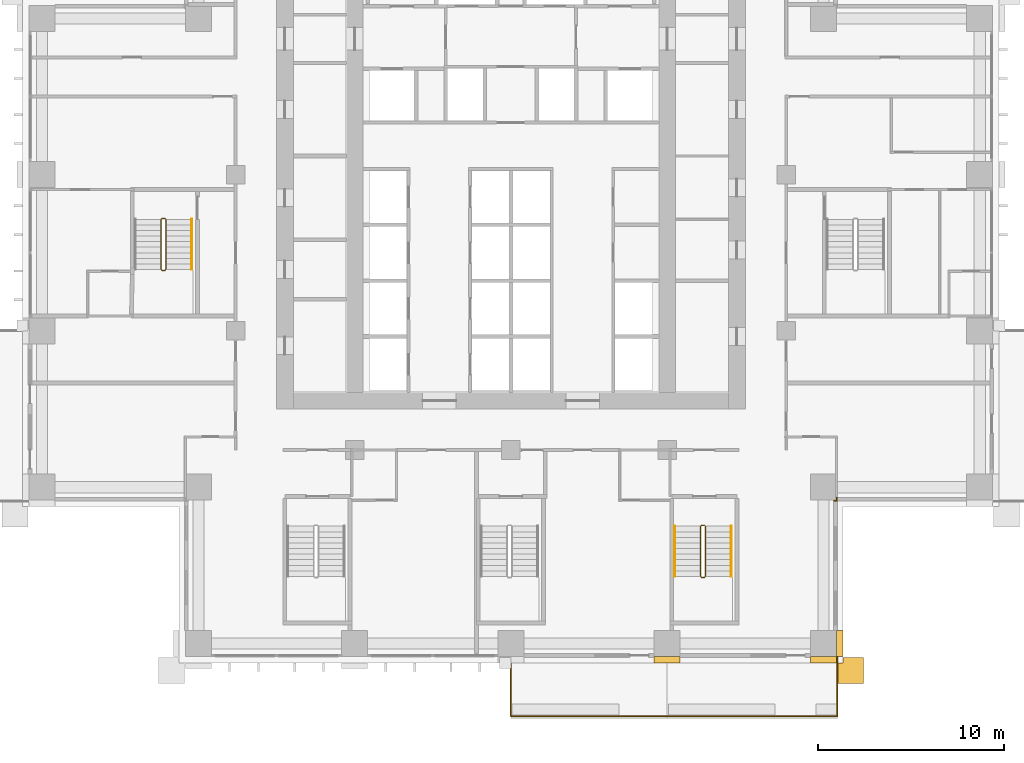
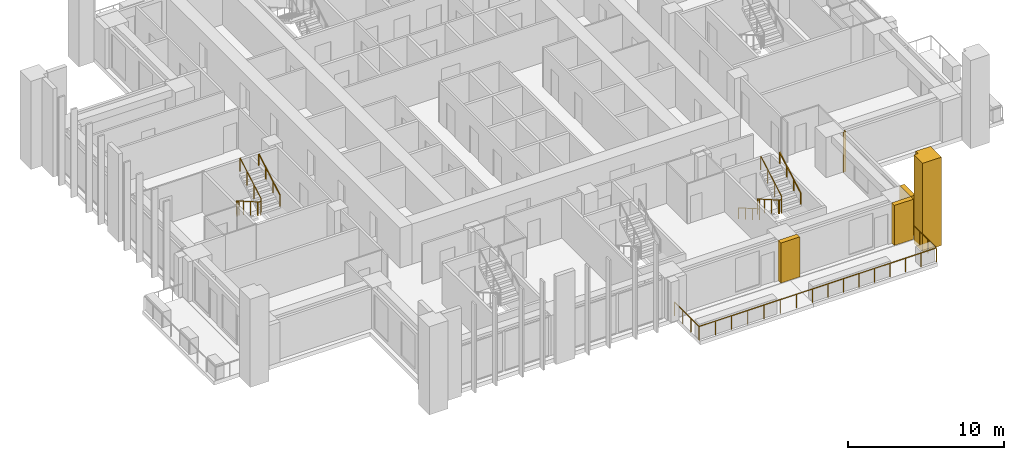
# One storey, part 16 of 19: 7 railings, 5 coverings.
"""IFC4 building model written with IfcOpenShell, lengths in metres."""

from ifc_helpers import new_model, si_unit, direction, frame, origin, origin_2d, place, context, subcontext, project, spatial, polyline, rectangle, outline, extrude, material, type_object, element, save


model = new_model("IFC4")

# Units and contexts
model_context = context("Model", 3, precision=1e-05, world=origin(), true_north=direction((0.0, 1.0)))
body_context = subcontext(model_context, "Body", "Model", "MODEL_VIEW")
ifc_project = project(units=[si_unit("LENGTHUNIT", "METRE"), si_unit("AREAUNIT", "SQUARE_METRE"), si_unit("VOLUMEUNIT", "CUBIC_METRE"), si_unit("PLANEANGLEUNIT", "RADIAN"), si_unit("MASSUNIT", "GRAM", prefix="KILO")], contexts=[model_context])

# Site, building, storey
site_placement = place(None, origin())
site = spatial("IfcSite", under=ifc_project, at=site_placement, CompositionType="ELEMENT")
building_placement = place(site_placement, origin())
building = spatial("IfcBuilding", under=site, at=building_placement, Name="Vermilion Ogive Tower", CompositionType="ELEMENT")
storey_placement = place(building_placement, frame((0.0, 0.0, 62.10009765625)))
storey = spatial("IfcBuildingStorey", under=building, at=storey_placement, Name="L14", CompositionType="ELEMENT", Elevation=62.10009765625)

# Railings
ifc_material_1 = material(Name="Stainless steel and glass", Category="steel")
railing_type_1 = type_object("IfcRailingType", Name="Balcony guard", PredefinedType="GUARDRAIL", material=ifc_material_1)
railing_1_placement = place(storey_placement, frame((0.0, -21.75, -0.0400390625)))
element("IfcRailing", 1, at=railing_1_placement, inside=storey, type_object=railing_type_1, Name="Guard S03", PredefinedType="GUARDRAIL", context=body_context, shape_type="SweptSolid", body=[
    extrude(rectangle(XDim=0.048095703125, YDim=0.048095703125, at=origin_2d()), frame((0.0, 0.0, 1.076171875), z_axis=(0.0, -1.0, 0.0), x_axis=(1.0, 0.0, 0.0)), (0.0, 0.0, 1.0), 3.159912109375),
    extrude(rectangle(XDim=0.048095703125, YDim=0.048095703125, at=origin_2d()), frame((0.0, -3.159912109375, 1.076171875), z_axis=(1.0, 0.0, 0.0), x_axis=(0.0, 1.0, 0.0)), (0.0, 0.0, 1.0), 8.39990234375),
    extrude(rectangle(XDim=0.0419921875, YDim=0.0419921875, at=origin_2d()), origin(), (0.0, 0.0, 1.0), 1.052001953125),
    extrude(rectangle(XDim=0.0419921875, YDim=0.0419921875, at=origin_2d()), frame((0.0, -1.05322265625, 0.0)), (0.0, 0.0, 1.0), 1.052001953125),
    extrude(rectangle(XDim=0.0419921875, YDim=0.0419921875, at=origin_2d()), frame((0.0, -2.106689453125, 0.0)), (0.0, 0.0, 1.0), 1.052001953125),
    extrude(rectangle(XDim=0.0419921875, YDim=0.0419921875, at=origin_2d()), frame((0.0, -3.159912109375, 0.0)), (0.0, 0.0, 1.0), 1.052001953125),
    extrude(rectangle(XDim=0.0419921875, YDim=0.0419921875, at=origin_2d()), frame((1.199951171875, -3.159912109375, 0.0)), (0.0, 0.0, 1.0), 1.052001953125),
    extrude(rectangle(XDim=0.0419921875, YDim=0.0419921875, at=origin_2d()), frame((2.39990234375, -3.159912109375, 0.0)), (0.0, 0.0, 1.0), 1.052001953125),
    extrude(rectangle(XDim=0.0419921875, YDim=0.0419921875, at=origin_2d()), frame((3.599853515625, -3.159912109375, 0.0)), (0.0, 0.0, 1.0), 1.052001953125),
    extrude(rectangle(XDim=0.0419921875, YDim=0.0419921875, at=origin_2d()), frame((4.800048828125, -3.159912109375, 0.0)), (0.0, 0.0, 1.0), 1.052001953125),
    extrude(rectangle(XDim=0.0419921875, YDim=0.0419921875, at=origin_2d()), frame((6.0, -3.159912109375, 0.0)), (0.0, 0.0, 1.0), 1.052001953125),
    extrude(rectangle(XDim=0.0419921875, YDim=0.0419921875, at=origin_2d()), frame((7.199951171875, -3.159912109375, 0.0)), (0.0, 0.0, 1.0), 1.052001953125),
    extrude(rectangle(XDim=0.0419921875, YDim=0.0419921875, at=origin_2d()), frame((8.39990234375, -3.159912109375, 0.0)), (0.0, 0.0, 1.0), 1.052001953125),
])
railing_2_placement = place(storey_placement, frame((8.39990234375, -24.909912109375, -0.0400390625)))
element("IfcRailing", 2, at=railing_2_placement, inside=storey, type_object=railing_type_1, Name="Guard S04", PredefinedType="GUARDRAIL", context=body_context, shape_type="SweptSolid", body=[
    extrude(rectangle(XDim=0.048095703125, YDim=0.048095703125, at=origin_2d()), frame((0.0, 0.0, 1.076171875), z_axis=(1.0, 0.0, 0.0), x_axis=(0.0, 1.0, 0.0)), (0.0, 0.0, 1.0), 9.150146484375),
    extrude(rectangle(XDim=0.048095703125, YDim=0.048095703125, at=origin_2d()), frame((9.150146484375, 0.0, 1.076171875), z_axis=(0.0, 1.0, 0.0), x_axis=(-1.0, 0.0, 0.0)), (0.0, 0.0, 1.0), 3.159912109375),
    extrude(rectangle(XDim=0.0419921875, YDim=0.0419921875, at=origin_2d()), origin(), (0.0, 0.0, 1.0), 1.052001953125),
    extrude(rectangle(XDim=0.0419921875, YDim=0.0419921875, at=origin_2d()), frame((1.143798828125, 0.0, 0.0)), (0.0, 0.0, 1.0), 1.052001953125),
    extrude(rectangle(XDim=0.0419921875, YDim=0.0419921875, at=origin_2d()), frame((2.28759765625, 0.0, 0.0)), (0.0, 0.0, 1.0), 1.052001953125),
    extrude(rectangle(XDim=0.0419921875, YDim=0.0419921875, at=origin_2d()), frame((3.431396484375, 0.0, 0.0)), (0.0, 0.0, 1.0), 1.052001953125),
    extrude(rectangle(XDim=0.0419921875, YDim=0.0419921875, at=origin_2d()), frame((4.5751953125, 0.0, 0.0)), (0.0, 0.0, 1.0), 1.052001953125),
    extrude(rectangle(XDim=0.0419921875, YDim=0.0419921875, at=origin_2d()), frame((5.71875, 0.0, 0.0)), (0.0, 0.0, 1.0), 1.052001953125),
    extrude(rectangle(XDim=0.0419921875, YDim=0.0419921875, at=origin_2d()), frame((6.862548828125, 0.0, 0.0)), (0.0, 0.0, 1.0), 1.052001953125),
    extrude(rectangle(XDim=0.0419921875, YDim=0.0419921875, at=origin_2d()), frame((8.00634765625, 0.0, 0.0)), (0.0, 0.0, 1.0), 1.052001953125),
    extrude(rectangle(XDim=0.0419921875, YDim=0.0419921875, at=origin_2d()), frame((9.150146484375, 0.0, 0.0)), (0.0, 0.0, 1.0), 1.052001953125),
    extrude(rectangle(XDim=0.0419921875, YDim=0.0419921875, at=origin_2d()), frame((9.150146484375, 1.05322265625, 0.0)), (0.0, 0.0, 1.0), 1.052001953125),
    extrude(rectangle(XDim=0.0419921875, YDim=0.0419921875, at=origin_2d()), frame((9.150146484375, 2.106689453125, 0.0)), (0.0, 0.0, 1.0), 1.052001953125),
    extrude(rectangle(XDim=0.0419921875, YDim=0.0419921875, at=origin_2d()), frame((9.150146484375, 3.159912109375, 0.0)), (0.0, 0.0, 1.0), 1.052001953125),
])
ifc_material_2 = material(Name="Steel S355 painted", Category="steel")
railing_type_2 = type_object("IfcRailingType", Name="Stair guard 1100", PredefinedType="GUARDRAIL", material=ifc_material_2)
railing_3_placement = place(storey_placement, frame((10.39990234375, -14.64990234375, 0.0)))
element("IfcRailing", 3, at=railing_3_placement, inside=storey, type_object=railing_type_2, Name="L14 ST5 stair guard 4", PredefinedType="GUARDRAIL", context=body_context, shape_type="SweptSolid", body=[
    extrude(rectangle(XDim=0.048095703125, YDim=0.048095703125, at=origin_2d()), frame((0.0, 0.0, 1.076171875), z_axis=(-1.0, 0.0, 0.0), x_axis=(0.0, -1.0, 0.0)), (0.0, 0.0, 1.0), 0.14990234375),
    extrude(rectangle(XDim=0.048095703125, YDim=0.048095703125, at=origin_2d()), frame((-0.14990234375, 0.0, 1.076171875), z_axis=(-0.268603158521, -0.268603158521, 0.925043072762), x_axis=(0.707106781187, -0.707106781187, 0.0)), (0.0, 0.0, 1.0), 0.186279296875),
    extrude(rectangle(XDim=0.048095703125, YDim=0.048095703125, at=origin_2d()), frame((-0.199951171875, -0.050048828125, 1.24853515625), z_axis=(0.0, -0.866903762492, 0.498475542607), x_axis=(1.0, 0.0, 0.0)), (0.0, 0.0, 1.0), 3.114501953125),
    extrude(rectangle(XDim=0.048095703125, YDim=0.048095703125, at=origin_2d()), frame((-0.199951171875, -2.75, 2.80078125), z_axis=(0.707106781187, -0.707106781187, 0.0), x_axis=(0.707106781187, 0.707106781187, 0.0)), (0.0, 0.0, 1.0), 0.07080078125),
    extrude(rectangle(XDim=0.048095703125, YDim=0.048095703125, at=origin_2d()), frame((-0.14990234375, -2.800048828125, 2.80078125), z_axis=(1.0, 0.0, 0.0), x_axis=(0.0, 1.0, 0.0)), (0.0, 0.0, 1.0), 0.14990234375),
    extrude(rectangle(XDim=0.048095703125, YDim=0.048095703125, at=origin_2d()), frame((0.0, -2.800048828125, 2.80078125), z_axis=(0.268277960024, 0.268277960024, 0.925231793839), x_axis=(-0.707106781187, 0.707106781187, 0.0)), (0.0, 0.0, 1.0), 0.1865234375),
    extrude(rectangle(XDim=0.048095703125, YDim=0.048095703125, at=origin_2d()), frame((0.050048828125, -2.75, 2.9736328125), z_axis=(0.0, 0.866903762492, 0.498475542607), x_axis=(-1.0, 0.0, 0.0)), (0.0, 0.0, 1.0), 3.114501953125),
    extrude(rectangle(XDim=0.0419921875, YDim=0.0419921875, at=origin_2d()), origin(), (0.0, 0.0, 1.0), 1.052001953125),
    extrude(rectangle(XDim=0.0419921875, YDim=0.0419921875, at=origin_2d()), frame((-0.14990234375, 0.0, 0.0)), (0.0, 0.0, 1.0), 1.052001953125),
    extrude(rectangle(XDim=0.0419921875, YDim=0.0419921875, at=origin_2d()), frame((-0.199951171875, -0.050048828125, 0.17236328125)), (0.0, 0.0, 1.0), 1.052001953125),
    extrude(rectangle(XDim=0.0419921875, YDim=0.0419921875, at=origin_2d()), frame((-0.199951171875, -0.949951171875, 0.68994140625)), (0.0, 0.0, 1.0), 1.052001953125),
    extrude(rectangle(XDim=0.0419921875, YDim=0.0419921875, at=origin_2d()), frame((-0.199951171875, -1.85009765625, 1.207275390625)), (0.0, 0.0, 1.0), 1.052001953125),
    extrude(rectangle(XDim=0.0419921875, YDim=0.0419921875, at=origin_2d()), frame((-0.199951171875, -2.75, 1.724853515625)), (0.0, 0.0, 1.0), 1.052001953125),
    extrude(rectangle(XDim=0.0419921875, YDim=0.0419921875, at=origin_2d()), frame((-0.14990234375, -2.800048828125, 1.724853515625)), (0.0, 0.0, 1.0), 1.052001953125),
    extrude(rectangle(XDim=0.0419921875, YDim=0.0419921875, at=origin_2d()), frame((0.0, -2.800048828125, 1.724853515625)), (0.0, 0.0, 1.0), 1.052001953125),
    extrude(rectangle(XDim=0.0419921875, YDim=0.0419921875, at=origin_2d()), frame((0.050048828125, -2.75, 1.8974609375)), (0.0, 0.0, 1.0), 1.052001953125),
    extrude(rectangle(XDim=0.0419921875, YDim=0.0419921875, at=origin_2d()), frame((0.050048828125, -1.85009765625, 2.4150390625)), (0.0, 0.0, 1.0), 1.052001953125),
    extrude(rectangle(XDim=0.0419921875, YDim=0.0419921875, at=origin_2d()), frame((0.050048828125, -0.949951171875, 2.932373046875)), (0.0, 0.0, 1.0), 1.052001953125),
    extrude(rectangle(XDim=0.0419921875, YDim=0.0419921875, at=origin_2d()), frame((0.050048828125, -0.050048828125, 3.449951171875)), (0.0, 0.0, 1.0), 1.052001953125),
])
railing_4_placement = place(storey_placement, frame((-18.60009765625, 1.85009765625, 0.0)))
element("IfcRailing", 4, at=railing_4_placement, inside=storey, type_object=railing_type_2, Name="L14 ST9 stair guard 4", PredefinedType="GUARDRAIL", context=body_context, shape_type="SweptSolid", body=[
    extrude(rectangle(XDim=0.048095703125, YDim=0.048095703125, at=origin_2d()), frame((0.0, 0.0, 1.076171875), z_axis=(-1.0, 0.0, 0.0), x_axis=(0.0, -1.0, 0.0)), (0.0, 0.0, 1.0), 0.14990234375),
    extrude(rectangle(XDim=0.048095703125, YDim=0.048095703125, at=origin_2d()), frame((-0.14990234375, 0.0, 1.076171875), z_axis=(-0.268603158521, -0.268603158521, 0.925043072762), x_axis=(0.707106781187, -0.707106781187, 0.0)), (0.0, 0.0, 1.0), 0.186279296875),
    extrude(rectangle(XDim=0.048095703125, YDim=0.048095703125, at=origin_2d()), frame((-0.199951171875, -0.050048828125, 1.24853515625), z_axis=(0.0, -0.866903762492, 0.498475542607), x_axis=(1.0, 0.0, 0.0)), (0.0, 0.0, 1.0), 3.114501953125),
    extrude(rectangle(XDim=0.048095703125, YDim=0.048095703125, at=origin_2d()), frame((-0.199951171875, -2.75, 2.80078125), z_axis=(0.707106781187, -0.707106781187, 0.0), x_axis=(0.707106781187, 0.707106781187, 0.0)), (0.0, 0.0, 1.0), 0.07080078125),
    extrude(rectangle(XDim=0.048095703125, YDim=0.048095703125, at=origin_2d()), frame((-0.14990234375, -2.800048828125, 2.80078125), z_axis=(1.0, 0.0, 0.0), x_axis=(0.0, 1.0, 0.0)), (0.0, 0.0, 1.0), 0.14990234375),
    extrude(rectangle(XDim=0.048095703125, YDim=0.048095703125, at=origin_2d()), frame((0.0, -2.800048828125, 2.80078125), z_axis=(0.268277960024, 0.268277960024, 0.925231793839), x_axis=(-0.707106781187, 0.707106781187, 0.0)), (0.0, 0.0, 1.0), 0.1865234375),
    extrude(rectangle(XDim=0.048095703125, YDim=0.048095703125, at=origin_2d()), frame((0.050048828125, -2.75, 2.9736328125), z_axis=(0.0, 0.866903762492, 0.498475542607), x_axis=(-1.0, 0.0, 0.0)), (0.0, 0.0, 1.0), 3.114501953125),
    extrude(rectangle(XDim=0.0419921875, YDim=0.0419921875, at=origin_2d()), origin(), (0.0, 0.0, 1.0), 1.052001953125),
    extrude(rectangle(XDim=0.0419921875, YDim=0.0419921875, at=origin_2d()), frame((-0.14990234375, 0.0, 0.0)), (0.0, 0.0, 1.0), 1.052001953125),
    extrude(rectangle(XDim=0.0419921875, YDim=0.0419921875, at=origin_2d()), frame((-0.199951171875, -0.050048828125, 0.17236328125)), (0.0, 0.0, 1.0), 1.052001953125),
    extrude(rectangle(XDim=0.0419921875, YDim=0.0419921875, at=origin_2d()), frame((-0.199951171875, -0.949951171875, 0.68994140625)), (0.0, 0.0, 1.0), 1.052001953125),
    extrude(rectangle(XDim=0.0419921875, YDim=0.0419921875, at=origin_2d()), frame((-0.199951171875, -1.85009765625, 1.207275390625)), (0.0, 0.0, 1.0), 1.052001953125),
    extrude(rectangle(XDim=0.0419921875, YDim=0.0419921875, at=origin_2d()), frame((-0.199951171875, -2.75, 1.724853515625)), (0.0, 0.0, 1.0), 1.052001953125),
    extrude(rectangle(XDim=0.0419921875, YDim=0.0419921875, at=origin_2d()), frame((-0.14990234375, -2.800048828125, 1.724853515625)), (0.0, 0.0, 1.0), 1.052001953125),
    extrude(rectangle(XDim=0.0419921875, YDim=0.0419921875, at=origin_2d()), frame((0.0, -2.800048828125, 1.724853515625)), (0.0, 0.0, 1.0), 1.052001953125),
    extrude(rectangle(XDim=0.0419921875, YDim=0.0419921875, at=origin_2d()), frame((0.050048828125, -2.75, 1.8974609375)), (0.0, 0.0, 1.0), 1.052001953125),
    extrude(rectangle(XDim=0.0419921875, YDim=0.0419921875, at=origin_2d()), frame((0.050048828125, -1.85009765625, 2.4150390625)), (0.0, 0.0, 1.0), 1.052001953125),
    extrude(rectangle(XDim=0.0419921875, YDim=0.0419921875, at=origin_2d()), frame((0.050048828125, -0.949951171875, 2.932373046875)), (0.0, 0.0, 1.0), 1.052001953125),
    extrude(rectangle(XDim=0.0419921875, YDim=0.0419921875, at=origin_2d()), frame((0.050048828125, -0.050048828125, 3.449951171875)), (0.0, 0.0, 1.0), 1.052001953125),
])
ifc_material_3 = material(Name="Stainless steel", Category="steel")
railing_type_3 = type_object("IfcRailingType", Name="Stair handrail 900", PredefinedType="HANDRAIL", material=ifc_material_3)
railing_5_placement = place(storey_placement, frame((8.800048828125, -14.699951171875, 0.17236328125)))
element("IfcRailing", 5, at=railing_5_placement, inside=storey, type_object=railing_type_3, Name="L14 ST5 stair handrail 1", PredefinedType="HANDRAIL", context=body_context, shape_type="SweptSolid", body=[
    extrude(rectangle(XDim=0.048095703125, YDim=0.048095703125, at=origin_2d()), frame((0.0, 0.0, 0.8759765625), z_axis=(0.0, -0.866903762492, 0.498475542607), x_axis=(1.0, 0.0, 0.0)), (0.0, 0.0, 1.0), 3.114501953125),
    extrude(rectangle(XDim=0.0419921875, YDim=0.0419921875, at=origin_2d()), origin(), (0.0, 0.0, 1.0), 0.851806640625),
    extrude(rectangle(XDim=0.0419921875, YDim=0.0419921875, at=origin_2d()), frame((0.0, -0.89990234375, 0.517578125)), (0.0, 0.0, 1.0), 0.851806640625),
    extrude(rectangle(XDim=0.0419921875, YDim=0.0419921875, at=origin_2d()), frame((0.0, -1.800048828125, 1.034912109375)), (0.0, 0.0, 1.0), 0.851806640625),
    extrude(rectangle(XDim=0.0419921875, YDim=0.0419921875, at=origin_2d()), frame((0.0, -2.699951171875, 1.552490234375)), (0.0, 0.0, 1.0), 0.851806640625),
])
for number, where, name in (
    (6, (11.85009765625, -17.39990234375, 1.8974609375), "L14 ST5 stair handrail 2"),
    (7, (-17.14990234375, -0.89990234375, 1.8974609375), "L14 ST9 stair handrail 2"),
):
    element("IfcRailing", number, at=place(storey_placement, frame(where)), inside=storey, type_object=railing_type_3, Name=name, PredefinedType="HANDRAIL", context=body_context, shape_type="SweptSolid", body=[
        extrude(rectangle(XDim=0.048095703125, YDim=0.048095703125, at=origin_2d()), frame((0.0, 0.0, 0.8759765625), z_axis=(0.0, 0.866903762492, 0.498475542607), x_axis=(-1.0, 0.0, 0.0)), (0.0, 0.0, 1.0), 3.114501953125),
        extrude(rectangle(XDim=0.0419921875, YDim=0.0419921875, at=origin_2d()), origin(), (0.0, 0.0, 1.0), 0.851806640625),
        extrude(rectangle(XDim=0.0419921875, YDim=0.0419921875, at=origin_2d()), frame((0.0, 0.89990234375, 0.517578125)), (0.0, 0.0, 1.0), 0.851806640625),
        extrude(rectangle(XDim=0.0419921875, YDim=0.0419921875, at=origin_2d()), frame((0.0, 1.800048828125, 1.034912109375)), (0.0, 0.0, 1.0), 0.851806640625),
        extrude(rectangle(XDim=0.0419921875, YDim=0.0419921875, at=origin_2d()), frame((0.0, 2.699951171875, 1.552490234375)), (0.0, 0.0, 1.0), 0.851806640625),
    ])

# Coverings
ifc_material_4 = material(Name="Stone cladding", Category="masonry")
covering_type_1 = type_object("IfcCoveringType", Name="Stone corner buttress", PredefinedType="CLADDING", material=ifc_material_4)
covering_1_placement = place(storey_placement, frame((0.0, 0.0, -0.320068359375)))
element("IfcCovering", 8, at=covering_1_placement, inside=storey, type_object=covering_type_1, Name="Stone corner buttress X11", PredefinedType="CLADDING", context=body_context, shape_type="SweptSolid", body=[
    extrude(outline(polyline([(17.550048828125, -23.14990234375), (17.550048828125, -22.050048828125), (17.85009765625, -22.050048828125), (17.85009765625, -21.75), (18.949951171875, -21.75), (18.949951171875, -23.14990234375), (17.550048828125, -23.14990234375)])), origin(), (0.0, 0.0, 1.0), 6.89990234375),
])
ifc_material_5 = material(Name="Stone cladding", Category="masonry")
covering_type_2 = type_object("IfcCoveringType", Name="Stone pier", PredefinedType="CLADDING", material=ifc_material_5)
covering_2_placement = place(storey_placement, origin())
element("IfcCovering", 9, at=covering_2_placement, inside=storey, type_object=covering_type_2, Name="Stone corner pier X1E1", PredefinedType="CLADDING", context=body_context, shape_type="SweptSolid", body=[
    extrude(outline(polyline([(17.35009765625, -13.300048828125), (17.5, -13.300048828125), (17.5, -13.14990234375), (17.550048828125, -13.14990234375), (17.550048828125, -13.35009765625), (17.35009765625, -13.35009765625), (17.35009765625, -13.300048828125)])), origin(), (0.0, 0.0, 1.0), 3.1298828125),
])
covering_3_placement = place(storey_placement, origin())
element("IfcCovering", 10, at=covering_3_placement, inside=storey, type_object=covering_type_2, Name="Stone pier P+0084-210", PredefinedType="CLADDING", context=body_context, shape_type="SweptSolid", body=[
    extrude(outline(polyline([(9.10009765625, -21.699951171875), (9.10009765625, -22.050048828125), (7.699951171875, -22.050048828125), (7.699951171875, -21.699951171875), (9.10009765625, -21.699951171875), (9.10009765625, -21.699951171875)])), origin(), (0.0, 0.0, 1.0), 3.1298828125),
])
covering_4_placement = place(storey_placement, origin())
element("IfcCovering", 11, at=covering_4_placement, inside=storey, type_object=covering_type_2, Name="Stone pier P+0168-210S", PredefinedType="CLADDING", context=body_context, shape_type="SweptSolid", body=[
    extrude(outline(polyline([(17.5, -21.699951171875), (17.5, -21.699951171875), (17.5, -22.050048828125), (16.10009765625, -22.050048828125), (16.10009765625, -21.699951171875), (16.10009765625, -21.699951171875), (17.5, -21.699951171875)])), origin(), (0.0, 0.0, 1.0), 3.1298828125),
])
covering_5_placement = place(storey_placement, origin())
element("IfcCovering", 12, at=covering_5_placement, inside=storey, type_object=covering_type_2, Name="Stone pier P+0168-210X1", PredefinedType="CLADDING", context=body_context, shape_type="SweptSolid", body=[
    extrude(outline(polyline([(17.85009765625, -21.699951171875), (17.5, -21.699951171875), (17.5, -21.699951171875), (17.5, -20.300048828125), (17.85009765625, -20.300048828125), (17.85009765625, -21.699951171875)])), origin(), (0.0, 0.0, 1.0), 3.1298828125),
])

save(model, "model.ifc")
